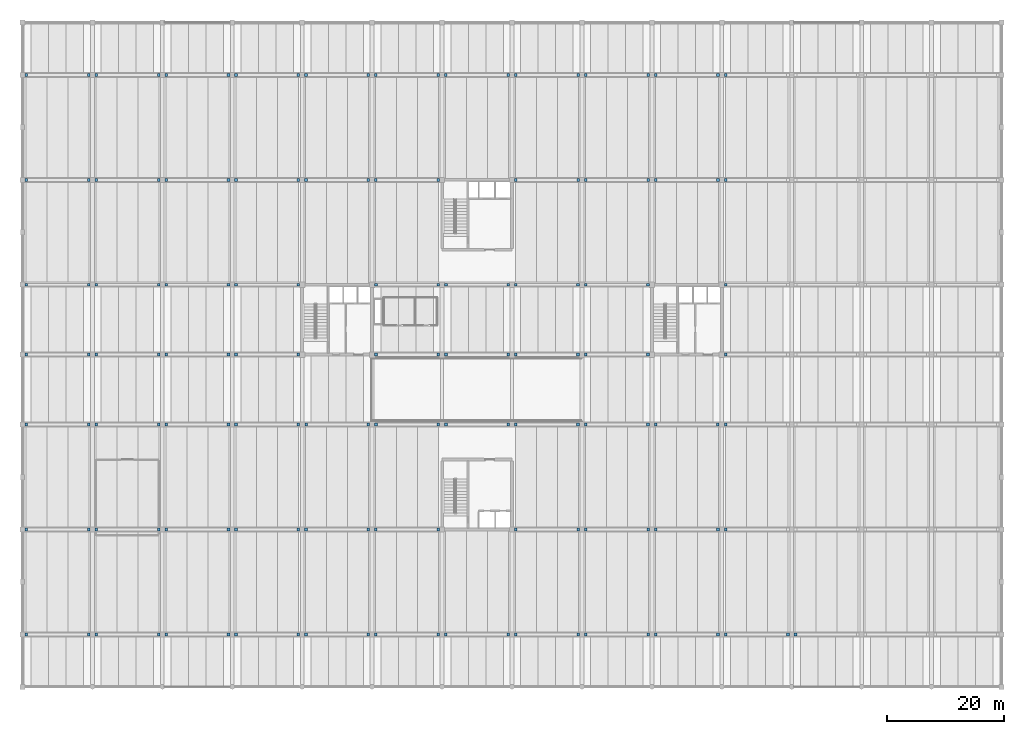
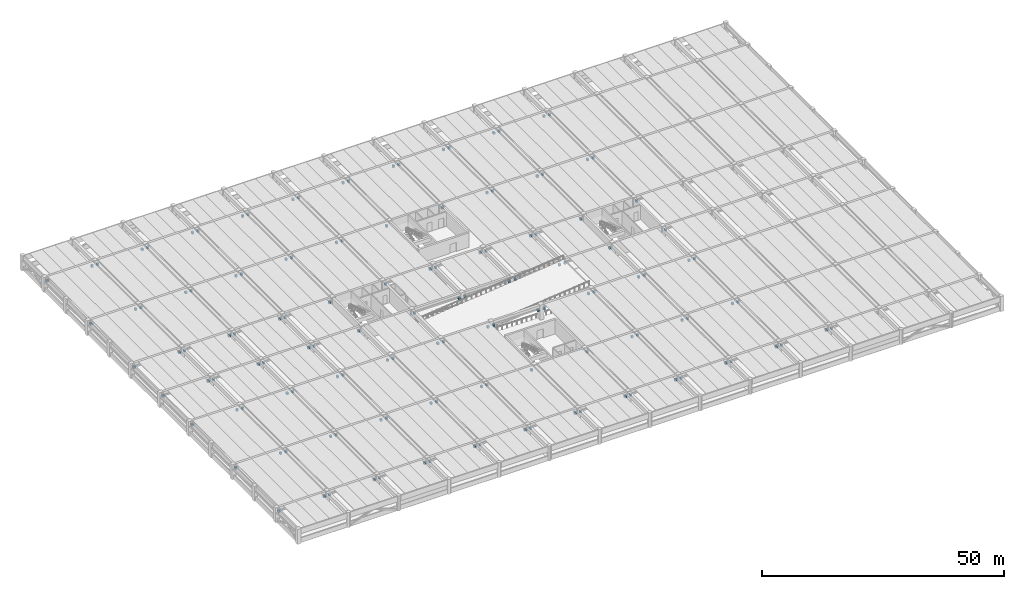
# One storey, part 13 of 19: 137 discrete accessories.
"""IFC4 building model written with IfcOpenShell, lengths in metres."""

from ifc_helpers import new_model, si_unit, direction, frame, origin, origin_2d, place, context, subcontext, project, spatial, rectangle, extrude, material, type_object, element, save


model = new_model("IFC4")

# Units and contexts
model_context = context("Model", 3, precision=1e-05, world=origin(), true_north=direction((0.0, 1.0)))
body_context = subcontext(model_context, "Body", "Model", "MODEL_VIEW")
ifc_project = project(units=[si_unit("LENGTHUNIT", "METRE"), si_unit("AREAUNIT", "SQUARE_METRE"), si_unit("VOLUMEUNIT", "CUBIC_METRE"), si_unit("PLANEANGLEUNIT", "RADIAN"), si_unit("MASSUNIT", "GRAM", prefix="KILO")], contexts=[model_context])

# Site, building, storey
site_placement = place(None, origin())
site = spatial("IfcSite", under=ifc_project, at=site_placement, CompositionType="ELEMENT")
building_placement = place(site_placement, origin())
building = spatial("IfcBuilding", under=site, at=building_placement, Name="Girod Span Mobility Hub", CompositionType="ELEMENT")
storey_placement = place(building_placement, frame((0.0, 0.0, 9.60009765625)))
storey = spatial("IfcBuildingStorey", under=building, at=storey_placement, Name="L02", CompositionType="ELEMENT", Elevation=9.60009765625)

# Discrete accessories
ifc_material = material(Name="Concrete C40/50", Category="concrete")
discrete_accessory_type = type_object("IfcDiscreteAccessoryType", Name="ACC-CORBEL-550", PredefinedType="BRACKET", material=ifc_material)
for number, where, z_axis, x_axis, name in (
    (1, (0.64794921875, 9.0, 2.13671875), (0.0, 0.0, 1.0), (1.0, 0.0, 0.0), "Precast Corbel 1/B-L L02"),
    (2, (11.35205078125, 9.0, 2.13671875), (0.0, 0.0, 1.0), (1.0, 0.0, 0.0), "Precast Corbel 1/B-R L02"),
    (3, (12.64794921875, 9.0, 2.13671875), (0.0, 0.0, 1.0), (1.0, 0.0, 0.0), "Precast Corbel 2/B-L L02"),
    (4, (23.35205078125, 9.0, 2.13671875), (0.0, 0.0, 1.0), (1.0, 0.0, 0.0), "Precast Corbel 2/B-R L02"),
    (5, (24.64794921875, 9.0, 2.13671875), (0.0, 0.0, 1.0), (1.0, 0.0, 0.0), "Precast Corbel 3/B-L L02"),
    (6, (35.35205078125, 9.0, 2.13671875), (0.0, 0.0, 1.0), (1.0, 0.0, 0.0), "Precast Corbel 3/B-R L02"),
    (7, (36.64794921875, 9.0, 2.13671875), (0.0, 0.0, 1.0), (1.0, 0.0, 0.0), "Precast Corbel 4/B-L L02"),
    (8, (47.35205078125, 9.0, 2.13671875), (0.0, 0.0, 1.0), (1.0, 0.0, 0.0), "Precast Corbel 4/B-R L02"),
    (9, (48.64794921875, 9.0, 2.13671875), (0.0, 0.0, 1.0), (1.0, 0.0, 0.0), "Precast Corbel 5/B-L L02"),
    (10, (59.35205078125, 9.0, 2.13671875), (0.0, 0.0, 1.0), (1.0, 0.0, 0.0), "Precast Corbel 5/B-R L02"),
    (11, (60.64794921875, 9.0, 2.13671875), (0.0, 0.0, 1.0), (1.0, 0.0, 0.0), "Precast Corbel 6/B-L L02"),
    (12, (71.35205078125, 9.0, 2.13671875), (0.0, 0.0, 1.0), (1.0, 0.0, 0.0), "Precast Corbel 6/B-R L02"),
    (13, (72.64794921875, 9.0, 2.13671875), (0.0, 0.0, 1.0), (1.0, 0.0, 0.0), "Precast Corbel 7/B-L L02"),
    (14, (83.35205078125, 9.0, 2.13671875), (0.0, 0.0, 1.0), (1.0, 0.0, 0.0), "Precast Corbel 7/B-R L02"),
    (15, (84.64794921875, 9.0, 2.13671875), (0.0, 0.0, 1.0), (1.0, 0.0, 0.0), "Precast Corbel 8/B-L L02"),
    (16, (95.35205078125, 9.0, 2.13671875), (0.0, 0.0, 1.0), (1.0, 0.0, 0.0), "Precast Corbel 8/B-R L02"),
    (17, (96.64794921875, 9.0, 2.13671875), (0.0, 0.0, 1.0), (1.0, 0.0, 0.0), "Precast Corbel 9/B-L L02"),
    (18, (107.35205078125, 9.0, 2.13671875), (0.0, 0.0, 1.0), (1.0, 0.0, 0.0), "Precast Corbel 9/B-R L02"),
    (19, (108.64794921875, 9.0, 2.13671875), (0.0, 0.0, 1.0), (1.0, 0.0, 0.0), "Precast Corbel 10/B-L L02"),
    (20, (119.35205078125, 9.0, 2.13671875), (0.0, 0.0, 1.0), (1.0, 0.0, 0.0), "Precast Corbel 10/B-R L02"),
    (21, (120.64794921875, 9.0, 2.13671875), (0.0, 0.0, 1.0), (1.0, 0.0, 0.0), "Precast Corbel 11/B-L L02"),
    (22, (131.35205078125, 9.0, 2.13671875), (0.0, 0.0, 1.0), (1.0, 0.0, 0.0), "Precast Corbel 11/B-R L02"),
    (23, (132.64794921875, 9.0, 2.13671875), (0.0, 0.0, 1.0), (1.0, 0.0, 0.0), "Precast Corbel 12/B-L L02"),
    (24, (0.64794921875, 27.0, 2.13671875), (0.0, 0.0, 1.0), (1.0, 0.0, 0.0), "Precast Corbel 1/C-L L02"),
    (25, (11.35205078125, 27.0, 2.13671875), (0.0, 0.0, 1.0), (1.0, 0.0, 0.0), "Precast Corbel 1/C-R L02"),
    (26, (12.64794921875, 27.0, 2.13671875), (0.0, 0.0, 1.0), (1.0, 0.0, 0.0), "Precast Corbel 2/C-L L02"),
    (27, (23.35205078125, 27.0, 2.13671875), (0.0, 0.0, 1.0), (1.0, 0.0, 0.0), "Precast Corbel 2/C-R L02"),
    (28, (24.64794921875, 27.0, 2.13671875), (0.0, 0.0, 1.0), (1.0, 0.0, 0.0), "Precast Corbel 3/C-L L02"),
    (29, (35.35205078125, 27.0, 2.13671875), (0.0, 0.0, 1.0), (1.0, 0.0, 0.0), "Precast Corbel 3/C-R L02"),
    (30, (36.64794921875, 27.0, 2.13671875), (0.0, 0.0, 1.0), (1.0, 0.0, 0.0), "Precast Corbel 4/C-L L02"),
    (31, (47.35205078125, 27.0, 2.13671875), (0.0, 0.0, 1.0), (1.0, 0.0, 0.0), "Precast Corbel 4/C-R L02"),
    (32, (48.64794921875, 27.0, 2.13671875), (0.0, 0.0, 1.0), (1.0, 0.0, 0.0), "Precast Corbel 5/C-L L02"),
    (33, (59.35205078125, 27.0, 2.13671875), (0.0, 0.0, 1.0), (1.0, 0.0, 0.0), "Precast Corbel 5/C-R L02"),
    (34, (60.64794921875, 27.0, 2.13671875), (0.0, 0.0, 1.0), (1.0, 0.0, 0.0), "Precast Corbel 6/C-L L02"),
    (35, (71.35205078125, 27.0, 2.13671875), (0.0, 0.0, 1.0), (1.0, 0.0, 0.0), "Precast Corbel 6/C-R L02"),
    (36, (84.64794921875, 27.0, 2.13671875), (0.0, 0.0, 1.0), (1.0, 0.0, 0.0), "Precast Corbel 8/C-L L02"),
    (37, (95.35205078125, 27.0, 2.13671875), (0.0, 0.0, 1.0), (1.0, 0.0, 0.0), "Precast Corbel 8/C-R L02"),
    (38, (96.64794921875, 27.0, 2.13671875), (0.0, 0.0, 1.0), (1.0, 0.0, 0.0), "Precast Corbel 9/C-L L02"),
    (39, (107.35205078125, 27.0, 2.13671875), (0.0, 0.0, 1.0), (1.0, 0.0, 0.0), "Precast Corbel 9/C-R L02"),
    (40, (108.64794921875, 27.0, 2.13671875), (0.0, 0.0, 1.0), (1.0, 0.0, 0.0), "Precast Corbel 10/C-L L02"),
    (41, (119.35205078125, 27.0, 2.13671875), (0.0, 0.0, 1.0), (1.0, 0.0, 0.0), "Precast Corbel 10/C-R L02"),
    (42, (120.64794921875, 27.0, 2.13671875), (0.0, 0.0, 1.0), (1.0, 0.0, 0.0), "Precast Corbel 11/C-L L02"),
    (43, (0.64794921875, 45.0, 2.13671875), (0.0, 0.0, 1.0), (1.0, 0.0, 0.0), "Precast Corbel 1/D-L L02"),
    (44, (11.35205078125, 45.0, 2.13671875), (0.0, 0.0, 1.0), (1.0, 0.0, 0.0), "Precast Corbel 1/D-R L02"),
    (45, (12.64794921875, 45.0, 2.13671875), (0.0, 0.0, 1.0), (1.0, 0.0, 0.0), "Precast Corbel 2/D-L L02"),
    (46, (23.35205078125, 45.0, 2.13671875), (0.0, 0.0, 1.0), (1.0, 0.0, 0.0), "Precast Corbel 2/D-R L02"),
    (47, (24.64794921875, 45.0, 2.13671875), (0.0, 0.0, 1.0), (1.0, 0.0, 0.0), "Precast Corbel 3/D-L L02"),
    (48, (35.35205078125, 45.0, 2.13671875), (0.0, 0.0, 1.0), (1.0, 0.0, 0.0), "Precast Corbel 3/D-R L02"),
    (49, (36.64794921875, 45.0, 2.13671875), (0.0, 0.0, 1.0), (1.0, 0.0, 0.0), "Precast Corbel 4/D-L L02"),
    (50, (47.326904296875, 45.0, 2.13671875), (0.0, 0.0, 1.0), (1.0, 0.0, 0.0), "Precast Corbel 4/D-R L02"),
    (51, (48.673095703125, 45.0, 2.13671875), (0.0, 0.0, 1.0), (1.0, 0.0, 0.0), "Precast Corbel 5/D-L L02"),
    (52, (59.326904296875, 45.0, 2.13671875), (0.0, 0.0, 1.0), (1.0, 0.0, 0.0), "Precast Corbel 5/D-R L02"),
    (53, (60.673095703125, 45.0, 2.13671875), (0.0, 0.0, 1.0), (1.0, 0.0, 0.0), "Precast Corbel 6/D-L L02"),
    (54, (71.326904296875, 45.0, 2.13671875), (0.0, 0.0, 1.0), (1.0, 0.0, 0.0), "Precast Corbel 6/D-R L02"),
    (55, (72.673095703125, 45.0, 2.13671875), (0.0, 0.0, 1.0), (1.0, 0.0, 0.0), "Precast Corbel 7/D-L L02"),
    (56, (83.326904296875, 45.0, 2.13671875), (0.0, 0.0, 1.0), (1.0, 0.0, 0.0), "Precast Corbel 7/D-R L02"),
    (57, (84.673095703125, 45.0, 2.13671875), (0.0, 0.0, 1.0), (1.0, 0.0, 0.0), "Precast Corbel 8/D-L L02"),
    (58, (95.326904296875, 45.0, 2.13671875), (0.0, 0.0, 1.0), (1.0, 0.0, 0.0), "Precast Corbel 8/D-R L02"),
    (59, (96.673095703125, 45.0, 2.13671875), (0.0, 0.0, 1.0), (1.0, 0.0, 0.0), "Precast Corbel 9/D-L L02"),
    (60, (107.326904296875, 45.0, 2.13671875), (0.0, 0.0, 1.0), (1.0, 0.0, 0.0), "Precast Corbel 9/D-R L02"),
    (61, (108.673095703125, 45.0, 2.13671875), (0.0, 0.0, 1.0), (1.0, 0.0, 0.0), "Precast Corbel 10/D-L L02"),
    (62, (119.326904296875, 45.0, 2.13671875), (0.0, 0.0, 1.0), (1.0, 0.0, 0.0), "Precast Corbel 10/D-R L02"),
    (63, (120.673095703125, 45.0, 2.13671875), (0.0, 0.0, 1.0), (1.0, 0.0, 0.0), "Precast Corbel 11/D-L L02"),
    (64, (0.64794921875, 57.0, 2.13671875), (0.0, 0.0, 1.0), (1.0, 0.0, 0.0), "Precast Corbel 1/E-L L02"),
    (65, (11.35205078125, 57.0, 2.13671875), (0.0, 0.0, 1.0), (1.0, 0.0, 0.0), "Precast Corbel 1/E-R L02"),
    (66, (12.64794921875, 57.0, 2.13671875), (0.0, 0.0, 1.0), (1.0, 0.0, 0.0), "Precast Corbel 2/E-L L02"),
    (67, (23.35205078125, 57.0, 2.13671875), (0.0, 0.0, 1.0), (1.0, 0.0, 0.0), "Precast Corbel 2/E-R L02"),
    (68, (24.64794921875, 57.0, 2.13671875), (0.0, 0.0, 1.0), (1.0, 0.0, 0.0), "Precast Corbel 3/E-L L02"),
    (69, (35.35205078125, 57.0, 2.13671875), (0.0, 0.0, 1.0), (1.0, 0.0, 0.0), "Precast Corbel 3/E-R L02"),
    (70, (36.64794921875, 57.0, 2.13671875), (0.0, 0.0, 1.0), (1.0, 0.0, 0.0), "Precast Corbel 4/E-L L02"),
    (71, (47.326904296875, 57.0, 2.13671875), (0.0, 0.0, 1.0), (1.0, 0.0, 0.0), "Precast Corbel 4/E-R L02"),
    (72, (60.673095703125, 57.0, 2.13671875), (0.0, 0.0, 1.0), (1.0, 0.0, 0.0), "Precast Corbel 6/E-L L02"),
    (73, (71.326904296875, 57.0, 2.13671875), (0.0, 0.0, 1.0), (1.0, 0.0, 0.0), "Precast Corbel 6/E-R L02"),
    (74, (72.673095703125, 57.0, 2.13671875), (0.0, 0.0, 1.0), (1.0, 0.0, 0.0), "Precast Corbel 7/E-L L02"),
    (75, (83.326904296875, 57.0, 2.13671875), (0.0, 0.0, 1.0), (1.0, 0.0, 0.0), "Precast Corbel 7/E-R L02"),
    (76, (84.673095703125, 57.0, 2.13671875), (0.0, 0.0, 1.0), (1.0, 0.0, 0.0), "Precast Corbel 8/E-L L02"),
    (77, (95.326904296875, 57.0, 2.13671875), (0.0, 0.0, 1.0), (1.0, 0.0, 0.0), "Precast Corbel 8/E-R L02"),
    (78, (96.673095703125, 57.0, 2.13671875), (0.0, 0.0, 1.0), (1.0, 0.0, 0.0), "Precast Corbel 9/E-L L02"),
    (79, (107.326904296875, 57.0, 2.13671875), (0.0, 0.0, 1.0), (1.0, 0.0, 0.0), "Precast Corbel 9/E-R L02"),
    (80, (120.673095703125, 57.0, 2.13671875), (0.0, 0.0, 1.0), (1.0, 0.0, 0.0), "Precast Corbel 11/E-L L02"),
    (81, (0.64794921875, 69.0, 2.13671875), (0.0, 0.0, 1.0), (1.0, 0.0, 0.0), "Precast Corbel 1/F-L L02"),
    (82, (11.35205078125, 69.0, 2.13671875), (0.0, 0.0, 1.0), (1.0, 0.0, 0.0), "Precast Corbel 1/F-R L02"),
    (83, (12.64794921875, 69.0, 2.13671875), (0.0, 0.0, 1.0), (1.0, 0.0, 0.0), "Precast Corbel 2/F-L L02"),
    (84, (23.35205078125, 69.0, 2.13671875), (0.0, 0.0, 1.0), (1.0, 0.0, 0.0), "Precast Corbel 2/F-R L02"),
    (85, (24.64794921875, 69.0, 2.13671875), (0.0, 0.0, 1.0), (1.0, 0.0, 0.0), "Precast Corbel 3/F-L L02"),
    (86, (35.35205078125, 69.0, 2.13671875), (0.0, 0.0, 1.0), (1.0, 0.0, 0.0), "Precast Corbel 3/F-R L02"),
    (87, (36.64794921875, 69.0, 2.13671875), (0.0, 0.0, 1.0), (1.0, 0.0, 0.0), "Precast Corbel 4/F-L L02"),
    (88, (47.326904296875, 69.0, 2.13671875), (0.0, 0.0, 1.0), (1.0, 0.0, 0.0), "Precast Corbel 4/F-R L02"),
    (89, (60.673095703125, 69.0, 2.13671875), (0.0, 0.0, 1.0), (1.0, 0.0, 0.0), "Precast Corbel 6/F-L L02"),
    (90, (71.326904296875, 69.0, 2.13671875), (0.0, 0.0, 1.0), (1.0, 0.0, 0.0), "Precast Corbel 6/F-R L02"),
    (91, (72.673095703125, 69.0, 2.13671875), (0.0, 0.0, 1.0), (1.0, 0.0, 0.0), "Precast Corbel 7/F-L L02"),
    (92, (83.326904296875, 69.0, 2.13671875), (0.0, 0.0, 1.0), (1.0, 0.0, 0.0), "Precast Corbel 7/F-R L02"),
    (93, (84.673095703125, 69.0, 2.13671875), (0.0, 0.0, 1.0), (1.0, 0.0, 0.0), "Precast Corbel 8/F-L L02"),
    (94, (95.326904296875, 69.0, 2.13671875), (0.0, 0.0, 1.0), (1.0, 0.0, 0.0), "Precast Corbel 8/F-R L02"),
    (95, (96.673095703125, 69.0, 2.13671875), (0.0, 0.0, 1.0), (1.0, 0.0, 0.0), "Precast Corbel 9/F-L L02"),
    (96, (107.326904296875, 69.0, 2.13671875), (0.0, 0.0, 1.0), (1.0, 0.0, 0.0), "Precast Corbel 9/F-R L02"),
    (97, (120.673095703125, 69.0, 2.13671875), (0.0, 0.0, 1.0), (1.0, 0.0, 0.0), "Precast Corbel 11/F-L L02"),
    (98, (0.64794921875, 87.0, 2.13671875), (0.0, 0.0, 1.0), (1.0, 0.0, 0.0), "Precast Corbel 1/G-L L02"),
    (99, (11.35205078125, 87.0, 2.13671875), (0.0, 0.0, 1.0), (1.0, 0.0, 0.0), "Precast Corbel 1/G-R L02"),
    (100, (12.64794921875, 87.0, 2.13671875), (0.0, 0.0, 1.0), (1.0, 0.0, 0.0), "Precast Corbel 2/G-L L02"),
    (101, (23.35205078125, 87.0, 2.13671875), (0.0, 0.0, 1.0), (1.0, 0.0, 0.0), "Precast Corbel 2/G-R L02"),
    (102, (24.64794921875, 87.0, 2.13671875), (0.0, 0.0, 1.0), (1.0, 0.0, 0.0), "Precast Corbel 3/G-L L02"),
    (103, (35.35205078125, 87.0, 2.13671875), (0.0, 0.0, 1.0), (1.0, 0.0, 0.0), "Precast Corbel 3/G-R L02"),
    (104, (36.64794921875, 87.0, 2.13671875), (0.0, 0.0, 1.0), (1.0, 0.0, 0.0), "Precast Corbel 4/G-L L02"),
    (105, (47.35205078125, 87.0, 2.13671875), (0.0, 0.0, 1.0), (1.0, 0.0, 0.0), "Precast Corbel 4/G-R L02"),
    (106, (48.64794921875, 87.0, 2.13671875), (0.0, 0.0, 1.0), (1.0, 0.0, 0.0), "Precast Corbel 5/G-L L02"),
    (107, (59.35205078125, 87.0, 2.13671875), (0.0, 0.0, 1.0), (1.0, 0.0, 0.0), "Precast Corbel 5/G-R L02"),
    (108, (60.64794921875, 87.0, 2.13671875), (0.0, 0.0, 1.0), (1.0, 0.0, 0.0), "Precast Corbel 6/G-L L02"),
    (109, (71.35205078125, 87.0, 2.13671875), (0.0, 0.0, 1.0), (1.0, 0.0, 0.0), "Precast Corbel 6/G-R L02"),
    (110, (84.64794921875, 87.0, 2.13671875), (0.0, 0.0, 1.0), (1.0, 0.0, 0.0), "Precast Corbel 8/G-L L02"),
    (111, (95.35205078125, 87.0, 2.13671875), (0.0, 0.0, 1.0), (1.0, 0.0, 0.0), "Precast Corbel 8/G-R L02"),
    (112, (96.64794921875, 87.0, 2.13671875), (0.0, 0.0, 1.0), (1.0, 0.0, 0.0), "Precast Corbel 9/G-L L02"),
    (113, (107.35205078125, 87.0, 2.13671875), (0.0, 0.0, 1.0), (1.0, 0.0, 0.0), "Precast Corbel 9/G-R L02"),
    (114, (108.64794921875, 87.0, 2.13671875), (0.0, 0.0, 1.0), (1.0, 0.0, 0.0), "Precast Corbel 10/G-L L02"),
    (115, (119.35205078125, 87.0, 2.13671875), (0.0, 0.0, 1.0), (1.0, 0.0, 0.0), "Precast Corbel 10/G-R L02"),
    (116, (120.64794921875, 87.0, 2.13671875), (0.0, 0.0, 1.0), (1.0, 0.0, 0.0), "Precast Corbel 11/G-L L02"),
    (117, (0.64794921875, 105.0, 2.13671875), (0.0, 0.0, 1.0), (1.0, 0.0, 0.0), "Precast Corbel 1/H-L L02"),
    (118, (11.35205078125, 105.0, 2.13671875), (0.0, 0.0, 1.0), (1.0, 0.0, 0.0), "Precast Corbel 1/H-R L02"),
    (119, (12.64794921875, 105.0, 2.13671875), (0.0, 0.0, 1.0), (1.0, 0.0, 0.0), "Precast Corbel 2/H-L L02"),
    (120, (23.35205078125, 105.0, 2.13671875), (0.0, 0.0, 1.0), (1.0, 0.0, 0.0), "Precast Corbel 2/H-R L02"),
    (121, (24.64794921875, 105.0, 2.13671875), (0.0, 0.0, 1.0), (1.0, 0.0, 0.0), "Precast Corbel 3/H-L L02"),
    (122, (35.35205078125, 105.0, 2.13671875), (0.0, 0.0, 1.0), (1.0, 0.0, 0.0), "Precast Corbel 3/H-R L02"),
    (123, (36.64794921875, 105.0, 2.13671875), (0.0, 0.0, 1.0), (1.0, 0.0, 0.0), "Precast Corbel 4/H-L L02"),
    (124, (47.35205078125, 105.0, 2.13671875), (0.0, 0.0, 1.0), (1.0, 0.0, 0.0), "Precast Corbel 4/H-R L02"),
    (125, (48.64794921875, 105.0, 2.13671875), (0.0, 0.0, 1.0), (1.0, 0.0, 0.0), "Precast Corbel 5/H-L L02"),
    (126, (59.35205078125, 105.0, 2.13671875), (0.0, 0.0, 1.0), (1.0, 0.0, 0.0), "Precast Corbel 5/H-R L02"),
    (127, (60.64794921875, 105.0, 2.13671875), (0.0, 0.0, 1.0), (1.0, 0.0, 0.0), "Precast Corbel 6/H-L L02"),
    (128, (71.35205078125, 105.0, 2.13671875), (0.0, 0.0, 1.0), (1.0, 0.0, 0.0), "Precast Corbel 6/H-R L02"),
    (129, (72.64794921875, 105.0, 2.13671875), (0.0, 0.0, 1.0), (1.0, 0.0, 0.0), "Precast Corbel 7/H-L L02"),
    (130, (83.35205078125, 105.0, 2.13671875), (0.0, 0.0, 1.0), (1.0, 0.0, 0.0), "Precast Corbel 7/H-R L02"),
    (131, (84.64794921875, 105.0, 2.13671875), (0.0, 0.0, 1.0), (1.0, 0.0, 0.0), "Precast Corbel 8/H-L L02"),
    (132, (95.35205078125, 105.0, 2.13671875), (0.0, 0.0, 1.0), (1.0, 0.0, 0.0), "Precast Corbel 8/H-R L02"),
    (133, (96.64794921875, 105.0, 2.13671875), (0.0, 0.0, 1.0), (1.0, 0.0, 0.0), "Precast Corbel 9/H-L L02"),
    (134, (107.35205078125, 105.0, 2.13671875), (0.0, 0.0, 1.0), (1.0, 0.0, 0.0), "Precast Corbel 9/H-R L02"),
    (135, (108.64794921875, 105.0, 2.13671875), (0.0, 0.0, 1.0), (1.0, 0.0, 0.0), "Precast Corbel 10/H-L L02"),
    (136, (119.35205078125, 105.0, 2.13671875), (0.0, 0.0, 1.0), (1.0, 0.0, 0.0), "Precast Corbel 10/H-R L02"),
    (137, (120.64794921875, 105.0, 2.13671875), (0.0, 0.0, 1.0), (1.0, 0.0, 0.0), "Precast Corbel 11/H-L L02"),
):
    element("IfcDiscreteAccessory", number, at=place(storey_placement, frame(where, z_axis=z_axis, x_axis=x_axis)), inside=storey, type_object=discrete_accessory_type, Name=name, PredefinedType="BRACKET", context=body_context, shape_type="SweptSolid", body=[
        extrude(rectangle(XDim=0.449951171875, YDim=0.5, at=origin_2d()), origin(), (0.0, 0.0, 1.0), 0.550048828125),
    ])

save(model, "model.ifc")
